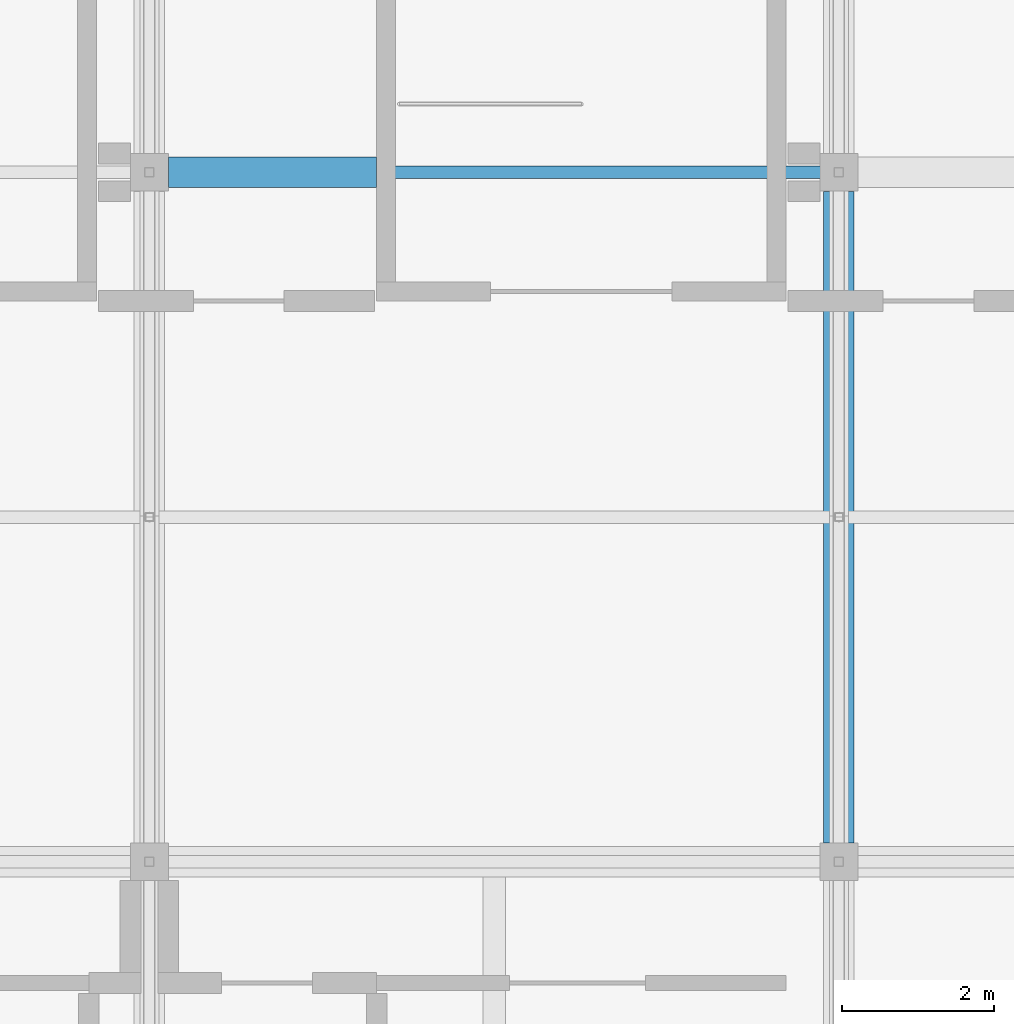
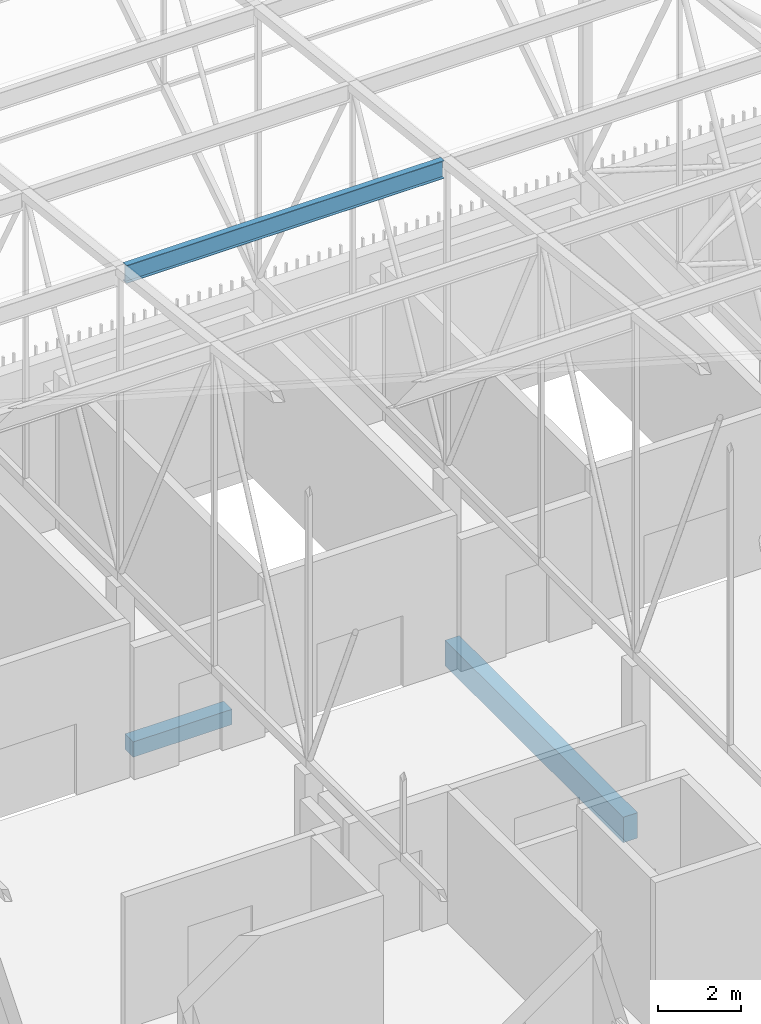
# One storey, part 394 of 500: 2 beams, 1 member.
"""IFC4 building model written with IfcOpenShell, lengths in metres."""

from ifc_helpers import new_model, si_unit, direction, frame, origin, origin_2d, place, context, subcontext, project, spatial, rectangle, i_section, extrude, material, material_profile, profile_set, type_object, element, save


model = new_model("IFC4")

# Units and contexts
model_context = context("Model", 3, precision=1e-05, world=origin(), true_north=direction((0.0, 1.0)))
body_context = subcontext(model_context, "Body", "Model", "MODEL_VIEW")
ifc_project = project(units=[si_unit("LENGTHUNIT", "METRE"), si_unit("AREAUNIT", "SQUARE_METRE"), si_unit("VOLUMEUNIT", "CUBIC_METRE"), si_unit("PLANEANGLEUNIT", "RADIAN"), si_unit("MASSUNIT", "GRAM", prefix="KILO")], contexts=[model_context])

# Site, building, storey
site_placement = place(None, origin())
site = spatial("IfcSite", under=ifc_project, at=site_placement, CompositionType="ELEMENT")
building_placement = place(site_placement, origin())
building = spatial("IfcBuilding", under=site, at=building_placement, Name="Shirokan Park Arena", CompositionType="ELEMENT")
storey_placement = place(building_placement, frame((0.0, 0.0, 29.1201171875)))
storey = spatial("IfcBuildingStorey", under=building, at=storey_placement, Name="L06", CompositionType="ELEMENT", Elevation=29.1201171875)

# Member
ifc_material_1 = material(Name="Steel ASTM A992", Category="steel")
ifc_material_profile_1 = material_profile(ifc_material_1, i_section(OverallWidth=0.166015625, OverallDepth=0.528076171875, WebThickness=0.009765625, FlangeThickness=0.013671875, at=origin_2d()), Name="W530X74")
ifc_profile_set_1 = profile_set([ifc_material_profile_1], Name="Steel ASTM A992")
member_type = type_object("IfcMemberType", Name="Purlin W530X74", PredefinedType="PURLIN", material=ifc_profile_set_1)
member_placement = place(storey_placement, frame((118.427001953125, 100.10009765625, 13.52587890625), z_axis=(1.0, 0.0, 0.0), x_axis=(0.0, 1.0, 0.0)))
element("IfcMember", 1, at=member_placement, inside=storey, type_object=member_type, Name="Purlin 25 bay 14", PredefinedType="PURLIN", context=body_context, shape_type="SweptSolid", body=[
    extrude(i_section(OverallWidth=0.166015625, OverallDepth=0.528076171875, WebThickness=0.009765625, FlangeThickness=0.013671875, at=origin_2d()), origin(), (0.0, 0.0, 1.0), 8.845947265625),
])

# Beams
ifc_material_2 = material(Name="Concrete C35", Category="concrete")
ifc_material_profile_2 = material_profile(ifc_material_2, rectangle(XDim=0.39990234375, YDim=0.75, at=origin_2d()), Name="400x750")
ifc_profile_set_2 = profile_set([ifc_material_profile_2], Name="Concrete C35")
beam_type_1 = type_object("IfcBeamType", Name="RC girder 400x750", PredefinedType="BEAM", material=ifc_profile_set_2)
beam_1_placement = place(storey_placement, frame((127.39990234375, 91.25, -0.5751953125), z_axis=(0.0, 1.0, 0.0), x_axis=(-1.0, 0.0, 0.0)))
element("IfcBeam", 2, at=beam_1_placement, inside=storey, type_object=beam_type_1, Name="Girder 15L-15M L06", PredefinedType="BEAM", context=body_context, shape_type="SweptSolid", body=[
    extrude(rectangle(XDim=0.39990234375, YDim=0.75, at=origin_2d()), origin(), (0.0, 0.0, 1.0), 8.599853515625),
])
ifc_material_profile_3 = material_profile(ifc_material_2, rectangle(XDim=0.39990234375, YDim=0.449951171875, at=origin_2d()), Name="400x450")
ifc_profile_set_3 = profile_set([ifc_material_profile_3], Name="Concrete C35")
beam_type_2 = type_object("IfcBeamType", Name="RC trimmer 400x450", PredefinedType="BEAM", material=ifc_profile_set_3)
beam_2_placement = place(storey_placement, frame((118.550048828125, 100.10009765625, -0.425048828125), z_axis=(1.0, 0.0, 0.0), x_axis=(0.0, 1.0, 0.0)))
element("IfcBeam", 3, at=beam_2_placement, inside=storey, type_object=beam_type_2, Name="Girder 14M-15M L06", PredefinedType="BEAM", context=body_context, shape_type="SweptSolid", body=[
    extrude(rectangle(XDim=0.39990234375, YDim=0.449951171875, at=origin_2d()), origin(), (0.0, 0.0, 1.0), 2.75),
])

save(model, "model.ifc")
